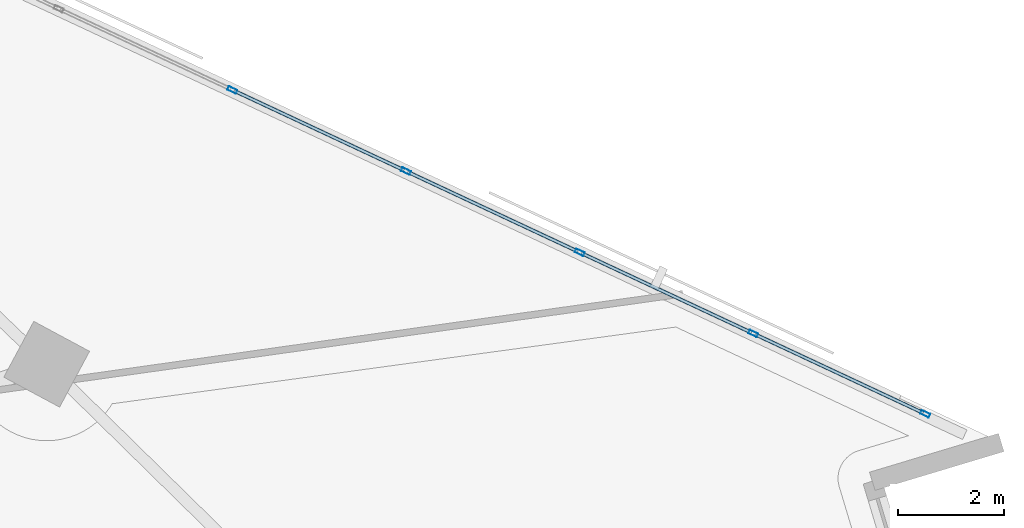
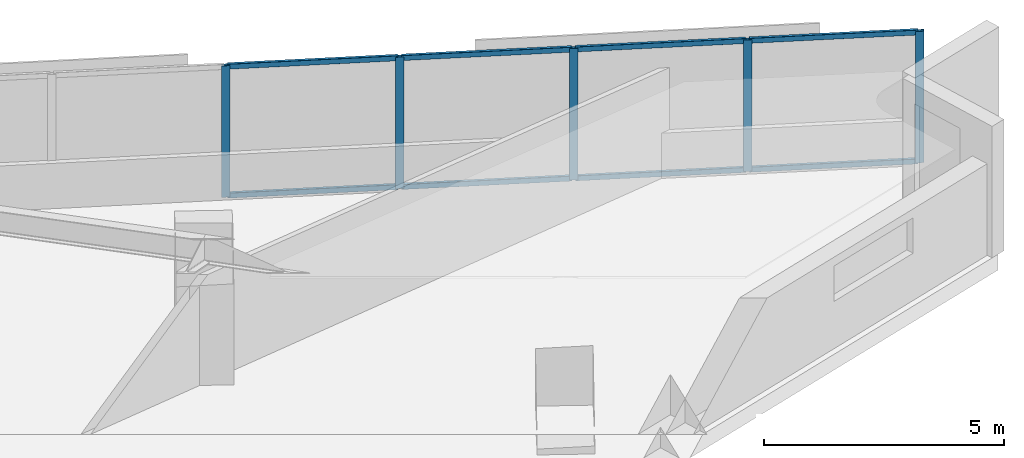
# One storey, part 5 of 16: 13 members, 1 element without a shape of its own.
"""IFC4 building model written with IfcOpenShell, lengths in metres."""

from ifc_helpers import new_model, si_unit, direction, frame, origin, origin_2d, place, context, subcontext, project, spatial, hollow_rectangle, extrude, material, material_profile, profile_set, type_object, element, aggregate, save


model = new_model("IFC4")

# Units and contexts
model_context = context("Model", 3, precision=1e-05, world=origin(), true_north=direction((0.0, 1.0)))
body_context = subcontext(model_context, "Body", "Model", "MODEL_VIEW")
ifc_project = project(units=[si_unit("LENGTHUNIT", "METRE"), si_unit("AREAUNIT", "SQUARE_METRE"), si_unit("VOLUMEUNIT", "CUBIC_METRE"), si_unit("PLANEANGLEUNIT", "RADIAN"), si_unit("MASSUNIT", "GRAM", prefix="KILO")], contexts=[model_context])

# Site, building, storey
site_placement = place(None, origin())
site = spatial("IfcSite", under=ifc_project, at=site_placement, CompositionType="ELEMENT")
building_placement = place(site_placement, origin())
building = spatial("IfcBuilding", under=site, at=building_placement, Name="Narakoshi Arena Tower", CompositionType="ELEMENT")
storey_placement = place(building_placement, frame((0.0, 0.0, 132.300048828125)))
storey = spatial("IfcBuildingStorey", under=building, at=storey_placement, Name="L35", CompositionType="ELEMENT", Elevation=132.300048828125)

# Curtain wall, members
ifc_material = material(Name="Anodised bronze aluminium 6063-T6", Category="aluminium")
curtain_wall_type = type_object("IfcCurtainWallType", Name="CW-HYP-MID", PredefinedType="NOTDEFINED", material=ifc_material)
curtain_wall_placement = place(storey_placement, origin())
curtain_wall = element("IfcCurtainWall", 1, at=curtain_wall_placement, inside=storey, type_object=curtain_wall_type, Name="L35 Folded Hypotenuse Curtain Wall 1-1", PredefinedType="NOTDEFINED")
ifc_material_profile_1 = material_profile(ifc_material, hollow_rectangle(XDim=0.074951171875, YDim=0.179931640625, WallThickness=0.00390625, OuterFilletRadius=0.0048828125, at=origin_2d()), Name="MUL180x75x4")
ifc_profile_set_1 = profile_set([ifc_material_profile_1], Name="Anodised bronze aluminium 6063-T6")
member_type_1 = type_object("IfcMemberType", Name="MEM-MUL-180", PredefinedType="MULLION", material=ifc_profile_set_1)
member_1_placement = place(storey_placement, frame((119.174072265625, 48.238525390625, 0.0), z_axis=(0.0, 0.0, 1.0), x_axis=(-0.423531721612, -0.905881273009, 0.0)))
member_1 = element("IfcMember", 2, at=member_1_placement, type_object=member_type_1, Name="CW-02 mullion 1", PredefinedType="MULLION", context=body_context, shape_type="SweptSolid", body=[
    extrude(hollow_rectangle(XDim=0.074951171875, YDim=0.179931640625, WallThickness=0.00390625, OuterFilletRadius=0.0048828125, at=origin_2d()), origin(), (0.0, 0.0, 1.0), 3.33984375),
])
member_2_placement = place(storey_placement, frame((115.91650390625, 49.761474609375, 0.0), z_axis=(0.0, 0.0, 1.0), x_axis=(-0.423531721612, -0.905881273009, 0.0)))
member_2 = element("IfcMember", 3, at=member_2_placement, type_object=member_type_1, Name="CW-02 mullion 2", PredefinedType="MULLION", context=body_context, shape_type="SweptSolid", body=[
    extrude(hollow_rectangle(XDim=0.074951171875, YDim=0.179931640625, WallThickness=0.00390625, OuterFilletRadius=0.0048828125, at=origin_2d()), origin(), (0.0, 0.0, 1.0), 3.33984375),
])
member_3_placement = place(storey_placement, frame((112.625, 51.300537109375, 0.0), z_axis=(0.0, 0.0, 1.0), x_axis=(-0.423531721612, -0.905881273009, 0.0)))
member_3 = element("IfcMember", 4, at=member_3_placement, type_object=member_type_1, Name="CW-02 mullion 3", PredefinedType="MULLION", context=body_context, shape_type="SweptSolid", body=[
    extrude(hollow_rectangle(XDim=0.074951171875, YDim=0.179931640625, WallThickness=0.00390625, OuterFilletRadius=0.0048828125, at=origin_2d()), origin(), (0.0, 0.0, 1.0), 3.33984375),
])
member_4_placement = place(storey_placement, frame((109.33349609375, 52.83935546875, 0.0), z_axis=(0.0, 0.0, 1.0), x_axis=(-0.423531721612, -0.905881273009, 0.0)))
member_4 = element("IfcMember", 5, at=member_4_placement, type_object=member_type_1, Name="CW-02 mullion 4", PredefinedType="MULLION", context=body_context, shape_type="SweptSolid", body=[
    extrude(hollow_rectangle(XDim=0.074951171875, YDim=0.179931640625, WallThickness=0.00390625, OuterFilletRadius=0.0048828125, at=origin_2d()), origin(), (0.0, 0.0, 1.0), 3.33984375),
])
member_5_placement = place(storey_placement, frame((106.0419921875, 54.378173828125, 0.0), z_axis=(0.0, 0.0, 1.0), x_axis=(-0.423531721612, -0.905881273009, 0.0)))
member_5 = element("IfcMember", 6, at=member_5_placement, type_object=member_type_1, Name="CW-02 mullion 5", PredefinedType="MULLION", context=body_context, shape_type="SweptSolid", body=[
    extrude(hollow_rectangle(XDim=0.074951171875, YDim=0.179931640625, WallThickness=0.00390625, OuterFilletRadius=0.0048828125, at=origin_2d()), origin(), (0.0, 0.0, 1.0), 3.33984375),
])
ifc_material_profile_2 = material_profile(ifc_material, hollow_rectangle(XDim=0.06494140625, YDim=0.1298828125, WallThickness=0.00390625, OuterFilletRadius=0.0048828125, at=origin_2d()), Name="TRN130x65x4")
ifc_profile_set_2 = profile_set([ifc_material_profile_2], Name="Anodised bronze aluminium 6063-T6")
member_type_2 = type_object("IfcMemberType", Name="MEM-TRN-130", PredefinedType="USERDEFINED", material=ifc_profile_set_2)
member_6_placement = place(storey_placement, frame((119.14013671875, 48.25439453125, 0.032470703125), z_axis=(-0.905890644442, 0.423511676713, 0.0), x_axis=(-0.423511676713, -0.905890644442, 0.0)))
member_6 = element("IfcMember", 7, at=member_6_placement, type_object=member_type_2, Name="CW-02 transom 1.1", ObjectType="TRANSOM", PredefinedType="USERDEFINED", context=body_context, shape_type="SweptSolid", body=[
    extrude(hollow_rectangle(XDim=0.06494140625, YDim=0.1298828125, WallThickness=0.00390625, OuterFilletRadius=0.0048828125, at=origin_2d()), origin(), (0.0, 0.0, 1.0), 3.52099609375),
])
member_7_placement = place(storey_placement, frame((119.14013671875, 48.25439453125, 3.307373046875), z_axis=(-0.905890644442, 0.423511676713, 0.0), x_axis=(-0.423511676713, -0.905890644442, 0.0)))
member_7 = element("IfcMember", 8, at=member_7_placement, type_object=member_type_2, Name="CW-02 transom 1.2", ObjectType="TRANSOM", PredefinedType="USERDEFINED", context=body_context, shape_type="SweptSolid", body=[
    extrude(hollow_rectangle(XDim=0.06494140625, YDim=0.1298828125, WallThickness=0.00390625, OuterFilletRadius=0.0048828125, at=origin_2d()), origin(), (0.0, 0.0, 1.0), 3.52099609375),
])
member_8_placement = place(storey_placement, frame((115.882568359375, 49.777587890625, 0.032470703125), z_axis=(-0.905890215319, 0.423512594605, 0.0), x_axis=(-0.423512594605, -0.905890215319, 0.0)))
member_8 = element("IfcMember", 9, at=member_8_placement, type_object=member_type_2, Name="CW-02 transom 2.1", ObjectType="TRANSOM", PredefinedType="USERDEFINED", context=body_context, shape_type="SweptSolid", body=[
    extrude(hollow_rectangle(XDim=0.06494140625, YDim=0.1298828125, WallThickness=0.00390625, OuterFilletRadius=0.0048828125, at=origin_2d()), origin(), (0.0, 0.0, 1.0), 3.55859375),
])
member_9_placement = place(storey_placement, frame((115.882568359375, 49.777587890625, 3.307373046875), z_axis=(-0.905890215319, 0.423512594605, 0.0), x_axis=(-0.423512594605, -0.905890215319, 0.0)))
member_9 = element("IfcMember", 10, at=member_9_placement, type_object=member_type_2, Name="CW-02 transom 2.2", ObjectType="TRANSOM", PredefinedType="USERDEFINED", context=body_context, shape_type="SweptSolid", body=[
    extrude(hollow_rectangle(XDim=0.06494140625, YDim=0.1298828125, WallThickness=0.00390625, OuterFilletRadius=0.0048828125, at=origin_2d()), origin(), (0.0, 0.0, 1.0), 3.55859375),
])
member_10_placement = place(storey_placement, frame((112.591064453125, 51.31640625, 0.032470703125), z_axis=(-0.905890215319, 0.423512594605, 0.0), x_axis=(-0.423512594605, -0.905890215319, 0.0)))
member_10 = element("IfcMember", 11, at=member_10_placement, type_object=member_type_2, Name="CW-02 transom 3.1", ObjectType="TRANSOM", PredefinedType="USERDEFINED", context=body_context, shape_type="SweptSolid", body=[
    extrude(hollow_rectangle(XDim=0.06494140625, YDim=0.1298828125, WallThickness=0.00390625, OuterFilletRadius=0.0048828125, at=origin_2d()), origin(), (0.0, 0.0, 1.0), 3.55859375),
])
member_11_placement = place(storey_placement, frame((112.591064453125, 51.31640625, 3.307373046875), z_axis=(-0.905890215319, 0.423512594605, 0.0), x_axis=(-0.423512594605, -0.905890215319, 0.0)))
member_11 = element("IfcMember", 12, at=member_11_placement, type_object=member_type_2, Name="CW-02 transom 3.2", ObjectType="TRANSOM", PredefinedType="USERDEFINED", context=body_context, shape_type="SweptSolid", body=[
    extrude(hollow_rectangle(XDim=0.06494140625, YDim=0.1298828125, WallThickness=0.00390625, OuterFilletRadius=0.0048828125, at=origin_2d()), origin(), (0.0, 0.0, 1.0), 3.55859375),
])
member_12_placement = place(storey_placement, frame((109.299560546875, 52.855224609375, 0.032470703125), z_axis=(-0.905890215319, 0.423512594605, 0.0), x_axis=(-0.423512594605, -0.905890215319, 0.0)))
member_12 = element("IfcMember", 13, at=member_12_placement, type_object=member_type_2, Name="CW-02 transom 4.1", ObjectType="TRANSOM", PredefinedType="USERDEFINED", context=body_context, shape_type="SweptSolid", body=[
    extrude(hollow_rectangle(XDim=0.06494140625, YDim=0.1298828125, WallThickness=0.00390625, OuterFilletRadius=0.0048828125, at=origin_2d()), origin(), (0.0, 0.0, 1.0), 3.55859375),
])
member_13_placement = place(storey_placement, frame((109.299560546875, 52.855224609375, 3.307373046875), z_axis=(-0.905890215319, 0.423512594605, 0.0), x_axis=(-0.423512594605, -0.905890215319, 0.0)))
member_13 = element("IfcMember", 14, at=member_13_placement, type_object=member_type_2, Name="CW-02 transom 4.2", ObjectType="TRANSOM", PredefinedType="USERDEFINED", context=body_context, shape_type="SweptSolid", body=[
    extrude(hollow_rectangle(XDim=0.06494140625, YDim=0.1298828125, WallThickness=0.00390625, OuterFilletRadius=0.0048828125, at=origin_2d()), origin(), (0.0, 0.0, 1.0), 3.55859375),
])
aggregate(curtain_wall, [member_1, member_2, member_3, member_4, member_5, member_6, member_7, member_8, member_9, member_10, member_11, member_12, member_13])

save(model, "model.ifc")
